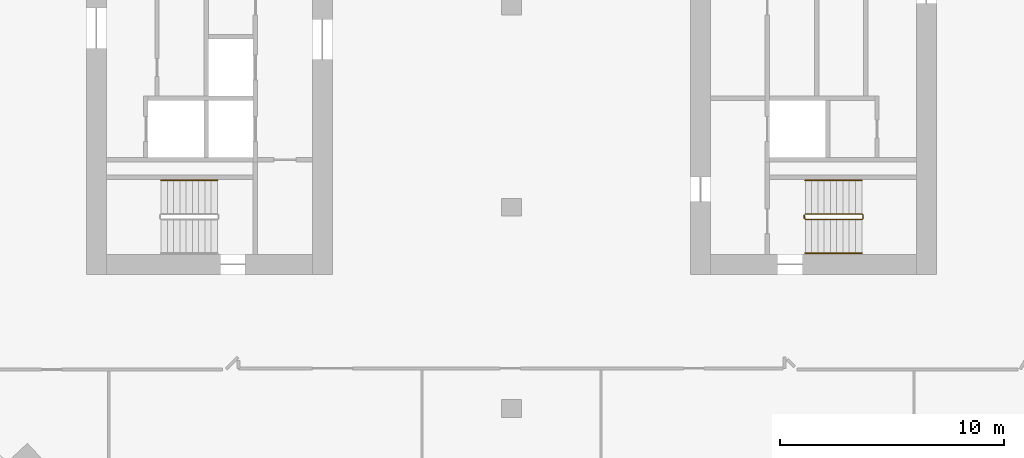
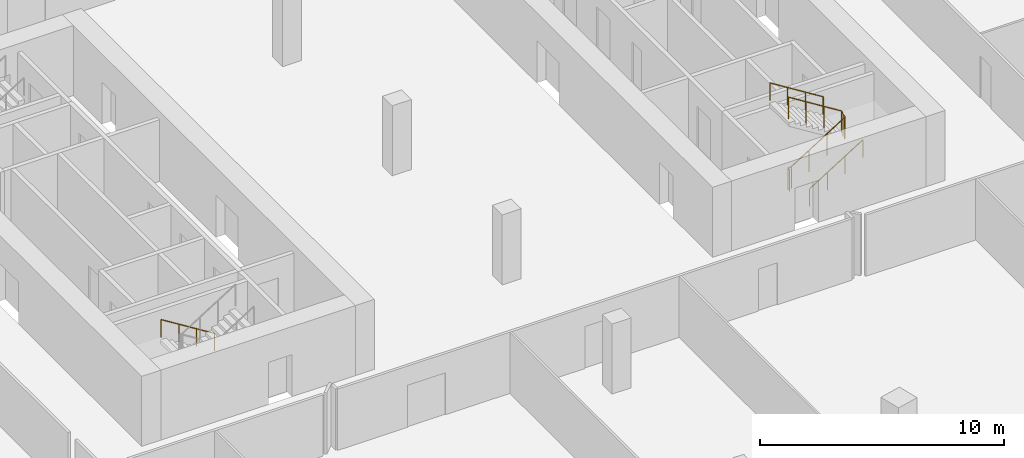
# One storey, part 23 of 25: 4 railings.
"""IFC4 building model written with IfcOpenShell, lengths in metres."""

from ifc_helpers import new_model, si_unit, direction, frame, origin, origin_2d, place, context, subcontext, project, spatial, circle, extrude, material, type_object, element, save


model = new_model("IFC4")

# Units and contexts
model_context = context("Model", 3, precision=1e-05, world=origin(), true_north=direction((0.0, 1.0)))
body_context = subcontext(model_context, "Body", "Model", "MODEL_VIEW")
ifc_project = project(units=[si_unit("LENGTHUNIT", "METRE"), si_unit("AREAUNIT", "SQUARE_METRE"), si_unit("VOLUMEUNIT", "CUBIC_METRE"), si_unit("PLANEANGLEUNIT", "RADIAN"), si_unit("MASSUNIT", "GRAM", prefix="KILO")], contexts=[model_context])

# Site, building, storey
site_placement = place(None, origin())
site = spatial("IfcSite", under=ifc_project, at=site_placement, CompositionType="ELEMENT")
building_placement = place(site_placement, origin())
building = spatial("IfcBuilding", under=site, at=building_placement, Name="Orlundy Tower", CompositionType="ELEMENT")
storey_placement = place(building_placement, frame((0.0, 0.0, 217.5)))
storey = spatial("IfcBuildingStorey", under=building, at=storey_placement, Name="L57", CompositionType="ELEMENT", Elevation=217.5)

# Railings
ifc_material_1 = material(Name="Steel balustrade", Category="steel")
railing_type_1 = type_object("IfcRailingType", Name="Stair Guard 1100", PredefinedType="GUARDRAIL", material=ifc_material_1)
railing_1_placement = place(storey_placement, frame((13.090087890625, -9.5, 0.0)))
element("IfcRailing", 1, at=railing_1_placement, inside=storey, type_object=railing_type_1, Name="L57 ST-E1 stair guard 1", PredefinedType="GUARDRAIL", context=body_context, shape_type="SweptSolid", body=[
    extrude(circle(Radius=0.02392578125, at=origin_2d()), frame((0.0, 0.0, 1.076171875), z_axis=(0.0, 1.0, 0.0), x_axis=(-1.0, 0.0, 0.0)), (0.0, 0.0, 1.0), 0.14990234375),
    extrude(circle(Radius=0.02392578125, at=origin_2d()), frame((0.0, 0.14990234375, 1.076171875), z_axis=(0.18420542264, -0.739530593833, 0.647427882513), x_axis=(0.970351222016, 0.241699205484, 0.0)), (0.0, 0.0, 1.0), 0.270263671875),
    extrude(circle(Radius=0.02392578125, at=origin_2d()), frame((0.0498046875, -0.050048828125, 1.2509765625), z_axis=(0.848007534815, 0.0, 0.529984170421), x_axis=(0.0, 1.0, 0.0)), (0.0, 0.0, 1.0), 2.9716796875),
    extrude(circle(Radius=0.02392578125, at=origin_2d()), frame((2.56982421875, -0.050048828125, 2.826171875), z_axis=(0.707106781187, 0.707106781187, 0.0), x_axis=(-0.707106781187, 0.707106781187, 0.0)), (0.0, 0.0, 1.0), 0.07080078125),
    extrude(circle(Radius=0.02392578125, at=origin_2d()), frame((2.619873046875, 0.0, 2.826171875), z_axis=(0.0, 1.0, 0.0), x_axis=(-1.0, 0.0, 0.0)), (0.0, 0.0, 1.0), 0.14990234375),
    extrude(circle(Radius=0.02392578125, at=origin_2d()), frame((2.619873046875, 0.14990234375, 2.826171875), z_axis=(-0.265065253269, 0.265065253269, 0.927081885822), x_axis=(-0.707106781187, -0.707106781187, 0.0)), (0.0, 0.0, 1.0), 0.188720703125),
    extrude(circle(Radius=0.02392578125, at=origin_2d()), frame((2.56982421875, 0.199951171875, 3.0009765625), z_axis=(-0.848007534815, 0.0, 0.529984170421), x_axis=(0.0, -1.0, 0.0)), (0.0, 0.0, 1.0), 2.9716796875),
    extrude(circle(Radius=0.02099609375, at=origin_2d()), origin(), (0.0, 0.0, 1.0), 1.052001953125),
    extrude(circle(Radius=0.02099609375, at=origin_2d()), frame((0.0, 0.14990234375, 0.0)), (0.0, 0.0, 1.0), 1.052001953125),
    extrude(circle(Radius=0.02099609375, at=origin_2d()), frame((0.0498046875, -0.050048828125, 0.175048828125)), (0.0, 0.0, 1.0), 1.052001953125),
    extrude(circle(Radius=0.02099609375, at=origin_2d()), frame((0.889892578125, -0.050048828125, 0.699951171875)), (0.0, 0.0, 1.0), 1.052001953125),
    extrude(circle(Radius=0.02099609375, at=origin_2d()), frame((1.729736328125, -0.050048828125, 1.22509765625)), (0.0, 0.0, 1.0), 1.052001953125),
    extrude(circle(Radius=0.02099609375, at=origin_2d()), frame((2.56982421875, -0.050048828125, 1.75)), (0.0, 0.0, 1.0), 1.052001953125),
    extrude(circle(Radius=0.02099609375, at=origin_2d()), frame((2.619873046875, 0.0, 1.75)), (0.0, 0.0, 1.0), 1.052001953125),
    extrude(circle(Radius=0.02099609375, at=origin_2d()), frame((2.619873046875, 0.14990234375, 1.75)), (0.0, 0.0, 1.0), 1.052001953125),
    extrude(circle(Radius=0.02099609375, at=origin_2d()), frame((2.56982421875, 0.199951171875, 1.925048828125)), (0.0, 0.0, 1.0), 1.052001953125),
    extrude(circle(Radius=0.02099609375, at=origin_2d()), frame((1.729736328125, 0.199951171875, 2.449951171875)), (0.0, 0.0, 1.0), 1.052001953125),
    extrude(circle(Radius=0.02099609375, at=origin_2d()), frame((0.889892578125, 0.199951171875, 2.97509765625)), (0.0, 0.0, 1.0), 1.052001953125),
    extrude(circle(Radius=0.02099609375, at=origin_2d()), frame((0.0498046875, 0.199951171875, 3.5)), (0.0, 0.0, 1.0), 1.052001953125),
])
ifc_material_2 = material(Name="Steel handrail", Category="steel")
railing_type_2 = type_object("IfcRailingType", Name="Stair Handrail 900", PredefinedType="HANDRAIL", material=ifc_material_2)
railing_2_placement = place(storey_placement, frame((-13.139892578125, -7.800048828125, 0.175048828125)))
element("IfcRailing", 2, at=railing_2_placement, inside=storey, type_object=railing_type_2, Name="L57 ST-W2 stair handrail 1", PredefinedType="HANDRAIL", context=body_context, shape_type="SweptSolid", body=[
    extrude(circle(Radius=0.02392578125, at=origin_2d()), frame((0.0, 0.0, 0.8759765625), z_axis=(-0.848007534815, 0.0, 0.529984170421), x_axis=(0.0, -1.0, 0.0)), (0.0, 0.0, 1.0), 2.9716796875),
    extrude(circle(Radius=0.02099609375, at=origin_2d()), origin(), (0.0, 0.0, 1.0), 0.851806640625),
    extrude(circle(Radius=0.02099609375, at=origin_2d()), frame((-0.840087890625, 0.0, 0.52490234375)), (0.0, 0.0, 1.0), 0.851806640625),
    extrude(circle(Radius=0.02099609375, at=origin_2d()), frame((-1.679931640625, 0.0, 1.050048828125)), (0.0, 0.0, 1.0), 0.851806640625),
    extrude(circle(Radius=0.02099609375, at=origin_2d()), frame((-2.52001953125, 0.0, 1.574951171875)), (0.0, 0.0, 1.0), 0.851806640625),
])
railing_3_placement = place(storey_placement, frame((13.139892578125, -11.050048828125, 0.175048828125)))
element("IfcRailing", 3, at=railing_3_placement, inside=storey, type_object=railing_type_2, Name="L57 ST-E1 stair handrail 1", PredefinedType="HANDRAIL", context=body_context, shape_type="SweptSolid", body=[
    extrude(circle(Radius=0.02392578125, at=origin_2d()), frame((0.0, 0.0, 0.8759765625), z_axis=(0.848007534815, 0.0, 0.529984170421), x_axis=(0.0, 1.0, 0.0)), (0.0, 0.0, 1.0), 2.9716796875),
    extrude(circle(Radius=0.02099609375, at=origin_2d()), origin(), (0.0, 0.0, 1.0), 0.851806640625),
    extrude(circle(Radius=0.02099609375, at=origin_2d()), frame((0.840087890625, 0.0, 0.52490234375)), (0.0, 0.0, 1.0), 0.851806640625),
    extrude(circle(Radius=0.02099609375, at=origin_2d()), frame((1.679931640625, 0.0, 1.050048828125)), (0.0, 0.0, 1.0), 0.851806640625),
    extrude(circle(Radius=0.02099609375, at=origin_2d()), frame((2.52001953125, 0.0, 1.574951171875)), (0.0, 0.0, 1.0), 0.851806640625),
])
railing_4_placement = place(storey_placement, frame((15.659912109375, -7.800048828125, 1.925048828125)))
element("IfcRailing", 4, at=railing_4_placement, inside=storey, type_object=railing_type_2, Name="L57 ST-E1 stair handrail 2", PredefinedType="HANDRAIL", context=body_context, shape_type="SweptSolid", body=[
    extrude(circle(Radius=0.02392578125, at=origin_2d()), frame((0.0, 0.0, 0.8759765625), z_axis=(-0.848007534815, 0.0, 0.529984170421), x_axis=(0.0, -1.0, 0.0)), (0.0, 0.0, 1.0), 2.9716796875),
    extrude(circle(Radius=0.02099609375, at=origin_2d()), origin(), (0.0, 0.0, 1.0), 0.851806640625),
    extrude(circle(Radius=0.02099609375, at=origin_2d()), frame((-0.840087890625, 0.0, 0.52490234375)), (0.0, 0.0, 1.0), 0.851806640625),
    extrude(circle(Radius=0.02099609375, at=origin_2d()), frame((-1.679931640625, 0.0, 1.050048828125)), (0.0, 0.0, 1.0), 0.851806640625),
    extrude(circle(Radius=0.02099609375, at=origin_2d()), frame((-2.52001953125, 0.0, 1.574951171875)), (0.0, 0.0, 1.0), 0.851806640625),
])

save(model, "model.ifc")
